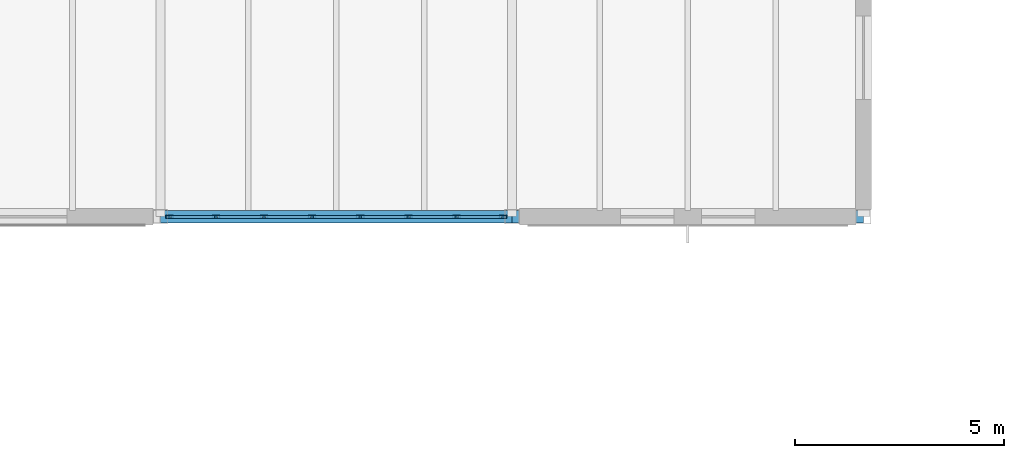
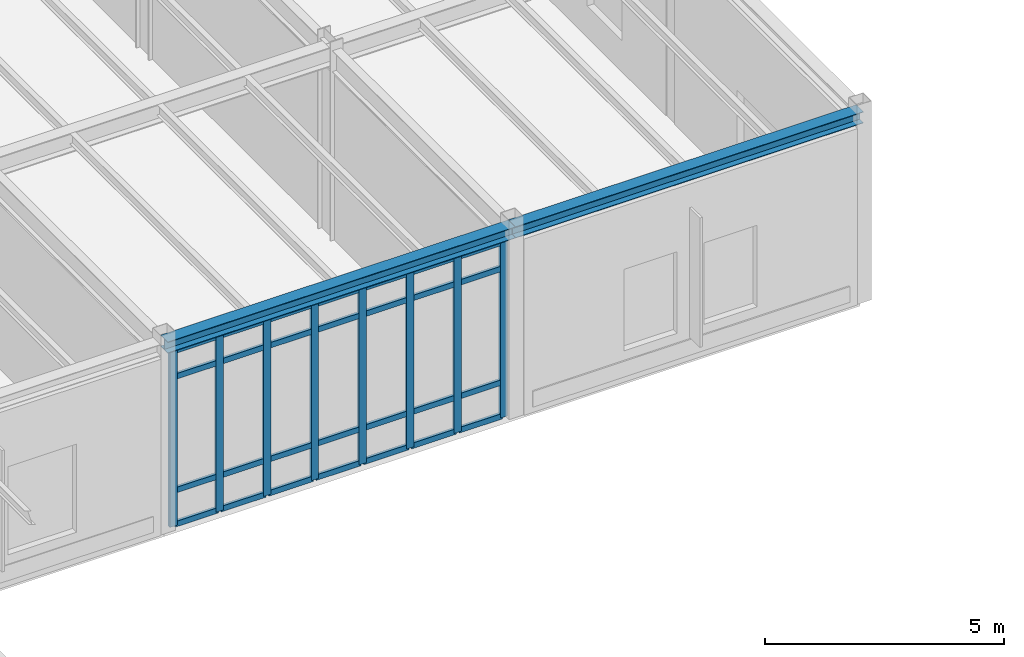
# One storey, part 59 of 109: 36 members, 2 beams, 1 element without a shape of its own.
"""IFC4 building model written with IfcOpenShell, lengths in metres."""

from ifc_helpers import new_model, si_unit, direction, frame, origin, origin_2d, place, context, subcontext, project, spatial, hollow_rectangle, i_section, extrude, material, layer, layer_set, material_profile, profile_set, type_object, element, aggregate, save


model = new_model("IFC4")

# Units and contexts
model_context = context("Model", 3, precision=1e-05, world=origin(), true_north=direction((0.0, 1.0)))
body_context = subcontext(model_context, "Body", "Model", "MODEL_VIEW")
ifc_project = project(units=[si_unit("LENGTHUNIT", "METRE"), si_unit("AREAUNIT", "SQUARE_METRE"), si_unit("VOLUMEUNIT", "CUBIC_METRE"), si_unit("PLANEANGLEUNIT", "RADIAN"), si_unit("MASSUNIT", "GRAM", prefix="KILO")], contexts=[model_context])

# Site, building, storey
site_placement = place(None, origin())
site = spatial("IfcSite", under=ifc_project, at=site_placement, CompositionType="ELEMENT")
building_placement = place(site_placement, origin())
building = spatial("IfcBuilding", under=site, at=building_placement, Name="Montecoro Central Library", CompositionType="ELEMENT")
storey_placement = place(building_placement, origin())
storey = spatial("IfcBuildingStorey", under=building, at=storey_placement, Name="L00", CompositionType="ELEMENT", Elevation=0.0)

# Beams
ifc_material_1 = material(Name="Steel S355", Category="steel")
ifc_material_profile_1 = material_profile(ifc_material_1, i_section(OverallWidth=0.300048828125, OverallDepth=0.2900390625, WebThickness=0.008544921875, FlangeThickness=0.013916015625, at=origin_2d()), Name="HEA 300")
ifc_profile_set_1 = profile_set([ifc_material_profile_1], Name="Steel S355")
beam_type = type_object("IfcBeamType", Name="BM-SP-HEA300", PredefinedType="SPANDREL", material=ifc_profile_set_1)
beam_1_placement = place(storey_placement, frame((100.0048828125, 81.0, 4.699951171875), z_axis=(1.0, 0.0, 0.0), x_axis=(0.0, 1.0, 0.0)))
element("IfcBeam", 1, at=beam_1_placement, inside=storey, type_object=beam_type, Name="V2-L00-BX-1314-L", PredefinedType="SPANDREL", context=body_context, shape_type="SweptSolid", body=[
    extrude(i_section(OverallWidth=0.300048828125, OverallDepth=0.2900390625, WebThickness=0.008544921875, FlangeThickness=0.013916015625, at=origin_2d()), origin(), (0.0, 0.0, 1.0), 8.39013671875),
])
beam_2_placement = place(storey_placement, frame((108.405029296875, 81.0, 4.699951171875), z_axis=(1.0, 0.0, 0.0), x_axis=(0.0, 1.0, 0.0)))
element("IfcBeam", 2, at=beam_2_placement, inside=storey, type_object=beam_type, Name="V2-L00-BX-1415-L", PredefinedType="SPANDREL", context=body_context, shape_type="SweptSolid", body=[
    extrude(i_section(OverallWidth=0.300048828125, OverallDepth=0.2900390625, WebThickness=0.008544921875, FlangeThickness=0.013916015625, at=origin_2d()), origin(), (0.0, 0.0, 1.0), 8.389892578125),
])

# Curtain wall, members
ifc_material_2 = material(Name="Bronze-anodised aluminium and low-E glazing", Category="aluminium")
ifc_layer = layer(ifc_material_2, 0.159912109375)
ifc_layer_set = layer_set([ifc_layer], Name="Bronze-anodised aluminium and low-E glazing")
curtain_wall_type = type_object("IfcCurtainWallType", Name="CWT-006", PredefinedType="NOTDEFINED", material=ifc_layer_set)
curtain_wall_placement = place(storey_placement, origin())
curtain_wall = element("IfcCurtainWall", 3, at=curtain_wall_placement, inside=storey, type_object=curtain_wall_type, Name="V2-L00-CW-S4", PredefinedType="NOTDEFINED")
ifc_material_3 = material(Name="Bronze-anodised aluminium", Category="aluminium")
ifc_material_profile_2 = material_profile(ifc_material_3, hollow_rectangle(XDim=0.070068359375, YDim=0.179931640625, WallThickness=0.0048828125, at=origin_2d()), Name="CWM 180x70x5.0")
ifc_profile_set_2 = profile_set([ifc_material_profile_2], Name="Bronze-anodised aluminium")
member_type_1 = type_object("IfcMemberType", Name="CWM-BRZ-70", PredefinedType="MULLION", material=ifc_profile_set_2)
member_1_placement = place(storey_placement, frame((100.212890625, 81.0, 0.0), z_axis=(0.0, 0.0, 1.0), x_axis=(0.0, 1.0, 0.0)))
member_1 = element("IfcMember", 4, at=member_1_placement, type_object=member_type_1, Name="CW-006 mullion 1", PredefinedType="MULLION", context=body_context, shape_type="SweptSolid", body=[
    extrude(hollow_rectangle(XDim=0.070068359375, YDim=0.179931640625, WallThickness=0.0048828125, at=origin_2d()), origin(), (0.0, 0.0, 1.0), 4.5),
])
member_2_placement = place(storey_placement, frame((101.3271484375, 81.0, 0.0), z_axis=(0.0, 0.0, 1.0), x_axis=(0.0, 1.0, 0.0)))
member_2 = element("IfcMember", 5, at=member_2_placement, type_object=member_type_1, Name="CW-006 mullion 2", PredefinedType="MULLION", context=body_context, shape_type="SweptSolid", body=[
    extrude(hollow_rectangle(XDim=0.070068359375, YDim=0.179931640625, WallThickness=0.0048828125, at=origin_2d()), origin(), (0.0, 0.0, 1.0), 4.5),
])
member_3_placement = place(storey_placement, frame((102.476318359375, 81.0, 0.0), z_axis=(0.0, 0.0, 1.0), x_axis=(0.0, 1.0, 0.0)))
member_3 = element("IfcMember", 6, at=member_3_placement, type_object=member_type_1, Name="CW-006 mullion 3", PredefinedType="MULLION", context=body_context, shape_type="SweptSolid", body=[
    extrude(hollow_rectangle(XDim=0.070068359375, YDim=0.179931640625, WallThickness=0.0048828125, at=origin_2d()), origin(), (0.0, 0.0, 1.0), 4.5),
])
member_4_placement = place(storey_placement, frame((103.62548828125, 81.0, 0.0), z_axis=(0.0, 0.0, 1.0), x_axis=(0.0, 1.0, 0.0)))
member_4 = element("IfcMember", 7, at=member_4_placement, type_object=member_type_1, Name="CW-006 mullion 4", PredefinedType="MULLION", context=body_context, shape_type="SweptSolid", body=[
    extrude(hollow_rectangle(XDim=0.070068359375, YDim=0.179931640625, WallThickness=0.0048828125, at=origin_2d()), origin(), (0.0, 0.0, 1.0), 4.5),
])
member_5_placement = place(storey_placement, frame((104.774658203125, 81.0, 0.0), z_axis=(0.0, 0.0, 1.0), x_axis=(0.0, 1.0, 0.0)))
member_5 = element("IfcMember", 8, at=member_5_placement, type_object=member_type_1, Name="CW-006 mullion 5", PredefinedType="MULLION", context=body_context, shape_type="SweptSolid", body=[
    extrude(hollow_rectangle(XDim=0.070068359375, YDim=0.179931640625, WallThickness=0.0048828125, at=origin_2d()), origin(), (0.0, 0.0, 1.0), 4.5),
])
member_6_placement = place(storey_placement, frame((105.923828125, 81.0, 0.0), z_axis=(0.0, 0.0, 1.0), x_axis=(0.0, 1.0, 0.0)))
member_6 = element("IfcMember", 9, at=member_6_placement, type_object=member_type_1, Name="CW-006 mullion 6", PredefinedType="MULLION", context=body_context, shape_type="SweptSolid", body=[
    extrude(hollow_rectangle(XDim=0.070068359375, YDim=0.179931640625, WallThickness=0.0048828125, at=origin_2d()), origin(), (0.0, 0.0, 1.0), 4.5),
])
member_7_placement = place(storey_placement, frame((107.07275390625, 81.0, 0.0), z_axis=(0.0, 0.0, 1.0), x_axis=(0.0, 1.0, 0.0)))
member_7 = element("IfcMember", 10, at=member_7_placement, type_object=member_type_1, Name="CW-006 mullion 7", PredefinedType="MULLION", context=body_context, shape_type="SweptSolid", body=[
    extrude(hollow_rectangle(XDim=0.070068359375, YDim=0.179931640625, WallThickness=0.0048828125, at=origin_2d()), origin(), (0.0, 0.0, 1.0), 4.5),
])
member_8_placement = place(storey_placement, frame((108.18701171875, 81.0, 0.0), z_axis=(0.0, 0.0, 1.0), x_axis=(0.0, 1.0, 0.0)))
member_8 = element("IfcMember", 11, at=member_8_placement, type_object=member_type_1, Name="CW-006 mullion 8", PredefinedType="MULLION", context=body_context, shape_type="SweptSolid", body=[
    extrude(hollow_rectangle(XDim=0.070068359375, YDim=0.179931640625, WallThickness=0.0048828125, at=origin_2d()), origin(), (0.0, 0.0, 1.0), 4.5),
])
ifc_material_profile_3 = material_profile(ifc_material_3, hollow_rectangle(XDim=0.070068359375, YDim=0.139892578125, WallThickness=0.00390625, at=origin_2d()), Name="CWT 140x70x4.0")
ifc_profile_set_3 = profile_set([ifc_material_profile_3], Name="Bronze-anodised aluminium")
member_type_2 = type_object("IfcMemberType", Name="CWT-BRZ-70", PredefinedType="USERDEFINED", material=ifc_profile_set_3)
member_9_placement = place(storey_placement, frame((100.248046875, 81.0, 0.034912109375), z_axis=(1.0, 0.0, 0.0), x_axis=(0.0, 1.0, 0.0)))
member_9 = element("IfcMember", 12, at=member_9_placement, type_object=member_type_2, Name="CW-006 transom 1.1", ObjectType="TRANSOM", PredefinedType="USERDEFINED", context=body_context, shape_type="SweptSolid", body=[
    extrude(hollow_rectangle(XDim=0.070068359375, YDim=0.139892578125, WallThickness=0.00390625, at=origin_2d()), origin(), (0.0, 0.0, 1.0), 1.044189453125),
])
member_10_placement = place(storey_placement, frame((100.248046875, 81.0, 0.89990234375), z_axis=(1.0, 0.0, 0.0), x_axis=(0.0, 1.0, 0.0)))
member_10 = element("IfcMember", 13, at=member_10_placement, type_object=member_type_2, Name="CW-006 transom 1.2", ObjectType="TRANSOM", PredefinedType="USERDEFINED", context=body_context, shape_type="SweptSolid", body=[
    extrude(hollow_rectangle(XDim=0.070068359375, YDim=0.139892578125, WallThickness=0.00390625, at=origin_2d()), origin(), (0.0, 0.0, 1.0), 1.044189453125),
])
member_11_placement = place(storey_placement, frame((100.248046875, 81.0, 3.800048828125), z_axis=(1.0, 0.0, 0.0), x_axis=(0.0, 1.0, 0.0)))
member_11 = element("IfcMember", 14, at=member_11_placement, type_object=member_type_2, Name="CW-006 transom 1.3", ObjectType="TRANSOM", PredefinedType="USERDEFINED", context=body_context, shape_type="SweptSolid", body=[
    extrude(hollow_rectangle(XDim=0.070068359375, YDim=0.139892578125, WallThickness=0.00390625, at=origin_2d()), origin(), (0.0, 0.0, 1.0), 1.044189453125),
])
member_12_placement = place(storey_placement, frame((100.248046875, 81.0, 4.465087890625), z_axis=(1.0, 0.0, 0.0), x_axis=(0.0, 1.0, 0.0)))
member_12 = element("IfcMember", 15, at=member_12_placement, type_object=member_type_2, Name="CW-006 transom 1.4", ObjectType="TRANSOM", PredefinedType="USERDEFINED", context=body_context, shape_type="SweptSolid", body=[
    extrude(hollow_rectangle(XDim=0.070068359375, YDim=0.139892578125, WallThickness=0.00390625, at=origin_2d()), origin(), (0.0, 0.0, 1.0), 1.044189453125),
])
member_13_placement = place(storey_placement, frame((101.362060546875, 81.0, 0.034912109375), z_axis=(1.0, 0.0, 0.0), x_axis=(0.0, 1.0, 0.0)))
member_13 = element("IfcMember", 16, at=member_13_placement, type_object=member_type_2, Name="CW-006 transom 2.1", ObjectType="TRANSOM", PredefinedType="USERDEFINED", context=body_context, shape_type="SweptSolid", body=[
    extrude(hollow_rectangle(XDim=0.070068359375, YDim=0.139892578125, WallThickness=0.00390625, at=origin_2d()), origin(), (0.0, 0.0, 1.0), 1.079345703125),
])
member_14_placement = place(storey_placement, frame((101.362060546875, 81.0, 0.89990234375), z_axis=(1.0, 0.0, 0.0), x_axis=(0.0, 1.0, 0.0)))
member_14 = element("IfcMember", 17, at=member_14_placement, type_object=member_type_2, Name="CW-006 transom 2.2", ObjectType="TRANSOM", PredefinedType="USERDEFINED", context=body_context, shape_type="SweptSolid", body=[
    extrude(hollow_rectangle(XDim=0.070068359375, YDim=0.139892578125, WallThickness=0.00390625, at=origin_2d()), origin(), (0.0, 0.0, 1.0), 1.079345703125),
])
member_15_placement = place(storey_placement, frame((101.362060546875, 81.0, 3.800048828125), z_axis=(1.0, 0.0, 0.0), x_axis=(0.0, 1.0, 0.0)))
member_15 = element("IfcMember", 18, at=member_15_placement, type_object=member_type_2, Name="CW-006 transom 2.3", ObjectType="TRANSOM", PredefinedType="USERDEFINED", context=body_context, shape_type="SweptSolid", body=[
    extrude(hollow_rectangle(XDim=0.070068359375, YDim=0.139892578125, WallThickness=0.00390625, at=origin_2d()), origin(), (0.0, 0.0, 1.0), 1.079345703125),
])
member_16_placement = place(storey_placement, frame((101.362060546875, 81.0, 4.465087890625), z_axis=(1.0, 0.0, 0.0), x_axis=(0.0, 1.0, 0.0)))
member_16 = element("IfcMember", 19, at=member_16_placement, type_object=member_type_2, Name="CW-006 transom 2.4", ObjectType="TRANSOM", PredefinedType="USERDEFINED", context=body_context, shape_type="SweptSolid", body=[
    extrude(hollow_rectangle(XDim=0.070068359375, YDim=0.139892578125, WallThickness=0.00390625, at=origin_2d()), origin(), (0.0, 0.0, 1.0), 1.079345703125),
])
member_17_placement = place(storey_placement, frame((102.51123046875, 81.0, 0.034912109375), z_axis=(1.0, 0.0, 0.0), x_axis=(0.0, 1.0, 0.0)))
member_17 = element("IfcMember", 20, at=member_17_placement, type_object=member_type_2, Name="CW-006 transom 3.1", ObjectType="TRANSOM", PredefinedType="USERDEFINED", context=body_context, shape_type="SweptSolid", body=[
    extrude(hollow_rectangle(XDim=0.070068359375, YDim=0.139892578125, WallThickness=0.00390625, at=origin_2d()), origin(), (0.0, 0.0, 1.0), 1.0791015625),
])
member_18_placement = place(storey_placement, frame((102.51123046875, 81.0, 0.89990234375), z_axis=(1.0, 0.0, 0.0), x_axis=(0.0, 1.0, 0.0)))
member_18 = element("IfcMember", 21, at=member_18_placement, type_object=member_type_2, Name="CW-006 transom 3.2", ObjectType="TRANSOM", PredefinedType="USERDEFINED", context=body_context, shape_type="SweptSolid", body=[
    extrude(hollow_rectangle(XDim=0.070068359375, YDim=0.139892578125, WallThickness=0.00390625, at=origin_2d()), origin(), (0.0, 0.0, 1.0), 1.0791015625),
])
member_19_placement = place(storey_placement, frame((102.51123046875, 81.0, 3.800048828125), z_axis=(1.0, 0.0, 0.0), x_axis=(0.0, 1.0, 0.0)))
member_19 = element("IfcMember", 22, at=member_19_placement, type_object=member_type_2, Name="CW-006 transom 3.3", ObjectType="TRANSOM", PredefinedType="USERDEFINED", context=body_context, shape_type="SweptSolid", body=[
    extrude(hollow_rectangle(XDim=0.070068359375, YDim=0.139892578125, WallThickness=0.00390625, at=origin_2d()), origin(), (0.0, 0.0, 1.0), 1.0791015625),
])
member_20_placement = place(storey_placement, frame((102.51123046875, 81.0, 4.465087890625), z_axis=(1.0, 0.0, 0.0), x_axis=(0.0, 1.0, 0.0)))
member_20 = element("IfcMember", 23, at=member_20_placement, type_object=member_type_2, Name="CW-006 transom 3.4", ObjectType="TRANSOM", PredefinedType="USERDEFINED", context=body_context, shape_type="SweptSolid", body=[
    extrude(hollow_rectangle(XDim=0.070068359375, YDim=0.139892578125, WallThickness=0.00390625, at=origin_2d()), origin(), (0.0, 0.0, 1.0), 1.0791015625),
])
member_21_placement = place(storey_placement, frame((103.660400390625, 81.0, 0.034912109375), z_axis=(1.0, 0.0, 0.0), x_axis=(0.0, 1.0, 0.0)))
member_21 = element("IfcMember", 24, at=member_21_placement, type_object=member_type_2, Name="CW-006 transom 4.1", ObjectType="TRANSOM", PredefinedType="USERDEFINED", context=body_context, shape_type="SweptSolid", body=[
    extrude(hollow_rectangle(XDim=0.070068359375, YDim=0.139892578125, WallThickness=0.00390625, at=origin_2d()), origin(), (0.0, 0.0, 1.0), 1.0791015625),
])
member_22_placement = place(storey_placement, frame((103.660400390625, 81.0, 0.89990234375), z_axis=(1.0, 0.0, 0.0), x_axis=(0.0, 1.0, 0.0)))
member_22 = element("IfcMember", 25, at=member_22_placement, type_object=member_type_2, Name="CW-006 transom 4.2", ObjectType="TRANSOM", PredefinedType="USERDEFINED", context=body_context, shape_type="SweptSolid", body=[
    extrude(hollow_rectangle(XDim=0.070068359375, YDim=0.139892578125, WallThickness=0.00390625, at=origin_2d()), origin(), (0.0, 0.0, 1.0), 1.0791015625),
])
member_23_placement = place(storey_placement, frame((103.660400390625, 81.0, 3.800048828125), z_axis=(1.0, 0.0, 0.0), x_axis=(0.0, 1.0, 0.0)))
member_23 = element("IfcMember", 26, at=member_23_placement, type_object=member_type_2, Name="CW-006 transom 4.3", ObjectType="TRANSOM", PredefinedType="USERDEFINED", context=body_context, shape_type="SweptSolid", body=[
    extrude(hollow_rectangle(XDim=0.070068359375, YDim=0.139892578125, WallThickness=0.00390625, at=origin_2d()), origin(), (0.0, 0.0, 1.0), 1.0791015625),
])
member_24_placement = place(storey_placement, frame((103.660400390625, 81.0, 4.465087890625), z_axis=(1.0, 0.0, 0.0), x_axis=(0.0, 1.0, 0.0)))
member_24 = element("IfcMember", 27, at=member_24_placement, type_object=member_type_2, Name="CW-006 transom 4.4", ObjectType="TRANSOM", PredefinedType="USERDEFINED", context=body_context, shape_type="SweptSolid", body=[
    extrude(hollow_rectangle(XDim=0.070068359375, YDim=0.139892578125, WallThickness=0.00390625, at=origin_2d()), origin(), (0.0, 0.0, 1.0), 1.0791015625),
])
member_25_placement = place(storey_placement, frame((104.8095703125, 81.0, 0.034912109375), z_axis=(1.0, 0.0, 0.0), x_axis=(0.0, 1.0, 0.0)))
member_25 = element("IfcMember", 28, at=member_25_placement, type_object=member_type_2, Name="CW-006 transom 5.1", ObjectType="TRANSOM", PredefinedType="USERDEFINED", context=body_context, shape_type="SweptSolid", body=[
    extrude(hollow_rectangle(XDim=0.070068359375, YDim=0.139892578125, WallThickness=0.00390625, at=origin_2d()), origin(), (0.0, 0.0, 1.0), 1.0791015625),
])
member_26_placement = place(storey_placement, frame((104.8095703125, 81.0, 0.89990234375), z_axis=(1.0, 0.0, 0.0), x_axis=(0.0, 1.0, 0.0)))
member_26 = element("IfcMember", 29, at=member_26_placement, type_object=member_type_2, Name="CW-006 transom 5.2", ObjectType="TRANSOM", PredefinedType="USERDEFINED", context=body_context, shape_type="SweptSolid", body=[
    extrude(hollow_rectangle(XDim=0.070068359375, YDim=0.139892578125, WallThickness=0.00390625, at=origin_2d()), origin(), (0.0, 0.0, 1.0), 1.0791015625),
])
member_27_placement = place(storey_placement, frame((104.8095703125, 81.0, 3.800048828125), z_axis=(1.0, 0.0, 0.0), x_axis=(0.0, 1.0, 0.0)))
member_27 = element("IfcMember", 30, at=member_27_placement, type_object=member_type_2, Name="CW-006 transom 5.3", ObjectType="TRANSOM", PredefinedType="USERDEFINED", context=body_context, shape_type="SweptSolid", body=[
    extrude(hollow_rectangle(XDim=0.070068359375, YDim=0.139892578125, WallThickness=0.00390625, at=origin_2d()), origin(), (0.0, 0.0, 1.0), 1.0791015625),
])
member_28_placement = place(storey_placement, frame((104.8095703125, 81.0, 4.465087890625), z_axis=(1.0, 0.0, 0.0), x_axis=(0.0, 1.0, 0.0)))
member_28 = element("IfcMember", 31, at=member_28_placement, type_object=member_type_2, Name="CW-006 transom 5.4", ObjectType="TRANSOM", PredefinedType="USERDEFINED", context=body_context, shape_type="SweptSolid", body=[
    extrude(hollow_rectangle(XDim=0.070068359375, YDim=0.139892578125, WallThickness=0.00390625, at=origin_2d()), origin(), (0.0, 0.0, 1.0), 1.0791015625),
])
member_29_placement = place(storey_placement, frame((105.958740234375, 81.0, 0.034912109375), z_axis=(1.0, 0.0, 0.0), x_axis=(0.0, 1.0, 0.0)))
member_29 = element("IfcMember", 32, at=member_29_placement, type_object=member_type_2, Name="CW-006 transom 6.1", ObjectType="TRANSOM", PredefinedType="USERDEFINED", context=body_context, shape_type="SweptSolid", body=[
    extrude(hollow_rectangle(XDim=0.070068359375, YDim=0.139892578125, WallThickness=0.00390625, at=origin_2d()), origin(), (0.0, 0.0, 1.0), 1.0791015625),
])
member_30_placement = place(storey_placement, frame((105.958740234375, 81.0, 0.89990234375), z_axis=(1.0, 0.0, 0.0), x_axis=(0.0, 1.0, 0.0)))
member_30 = element("IfcMember", 33, at=member_30_placement, type_object=member_type_2, Name="CW-006 transom 6.2", ObjectType="TRANSOM", PredefinedType="USERDEFINED", context=body_context, shape_type="SweptSolid", body=[
    extrude(hollow_rectangle(XDim=0.070068359375, YDim=0.139892578125, WallThickness=0.00390625, at=origin_2d()), origin(), (0.0, 0.0, 1.0), 1.0791015625),
])
member_31_placement = place(storey_placement, frame((105.958740234375, 81.0, 3.800048828125), z_axis=(1.0, 0.0, 0.0), x_axis=(0.0, 1.0, 0.0)))
member_31 = element("IfcMember", 34, at=member_31_placement, type_object=member_type_2, Name="CW-006 transom 6.3", ObjectType="TRANSOM", PredefinedType="USERDEFINED", context=body_context, shape_type="SweptSolid", body=[
    extrude(hollow_rectangle(XDim=0.070068359375, YDim=0.139892578125, WallThickness=0.00390625, at=origin_2d()), origin(), (0.0, 0.0, 1.0), 1.0791015625),
])
member_32_placement = place(storey_placement, frame((105.958740234375, 81.0, 4.465087890625), z_axis=(1.0, 0.0, 0.0), x_axis=(0.0, 1.0, 0.0)))
member_32 = element("IfcMember", 35, at=member_32_placement, type_object=member_type_2, Name="CW-006 transom 6.4", ObjectType="TRANSOM", PredefinedType="USERDEFINED", context=body_context, shape_type="SweptSolid", body=[
    extrude(hollow_rectangle(XDim=0.070068359375, YDim=0.139892578125, WallThickness=0.00390625, at=origin_2d()), origin(), (0.0, 0.0, 1.0), 1.0791015625),
])
member_33_placement = place(storey_placement, frame((107.10791015625, 81.0, 0.034912109375), z_axis=(1.0, 0.0, 0.0), x_axis=(0.0, 1.0, 0.0)))
member_33 = element("IfcMember", 36, at=member_33_placement, type_object=member_type_2, Name="CW-006 transom 7.1", ObjectType="TRANSOM", PredefinedType="USERDEFINED", context=body_context, shape_type="SweptSolid", body=[
    extrude(hollow_rectangle(XDim=0.070068359375, YDim=0.139892578125, WallThickness=0.00390625, at=origin_2d()), origin(), (0.0, 0.0, 1.0), 1.044189453125),
])
member_34_placement = place(storey_placement, frame((107.10791015625, 81.0, 0.89990234375), z_axis=(1.0, 0.0, 0.0), x_axis=(0.0, 1.0, 0.0)))
member_34 = element("IfcMember", 37, at=member_34_placement, type_object=member_type_2, Name="CW-006 transom 7.2", ObjectType="TRANSOM", PredefinedType="USERDEFINED", context=body_context, shape_type="SweptSolid", body=[
    extrude(hollow_rectangle(XDim=0.070068359375, YDim=0.139892578125, WallThickness=0.00390625, at=origin_2d()), origin(), (0.0, 0.0, 1.0), 1.044189453125),
])
member_35_placement = place(storey_placement, frame((107.10791015625, 81.0, 3.800048828125), z_axis=(1.0, 0.0, 0.0), x_axis=(0.0, 1.0, 0.0)))
member_35 = element("IfcMember", 38, at=member_35_placement, type_object=member_type_2, Name="CW-006 transom 7.3", ObjectType="TRANSOM", PredefinedType="USERDEFINED", context=body_context, shape_type="SweptSolid", body=[
    extrude(hollow_rectangle(XDim=0.070068359375, YDim=0.139892578125, WallThickness=0.00390625, at=origin_2d()), origin(), (0.0, 0.0, 1.0), 1.044189453125),
])
member_36_placement = place(storey_placement, frame((107.10791015625, 81.0, 4.465087890625), z_axis=(1.0, 0.0, 0.0), x_axis=(0.0, 1.0, 0.0)))
member_36 = element("IfcMember", 39, at=member_36_placement, type_object=member_type_2, Name="CW-006 transom 7.4", ObjectType="TRANSOM", PredefinedType="USERDEFINED", context=body_context, shape_type="SweptSolid", body=[
    extrude(hollow_rectangle(XDim=0.070068359375, YDim=0.139892578125, WallThickness=0.00390625, at=origin_2d()), origin(), (0.0, 0.0, 1.0), 1.044189453125),
])
aggregate(curtain_wall, [member_1, member_2, member_3, member_4, member_5, member_6, member_7, member_8, member_9, member_10, member_11, member_12, member_13, member_14, member_15, member_16, member_17, member_18, member_19, member_20, member_21, member_22, member_23, member_24, member_25, member_26, member_27, member_28, member_29, member_30, member_31, member_32, member_33, member_34, member_35, member_36])

save(model, "model.ifc")
